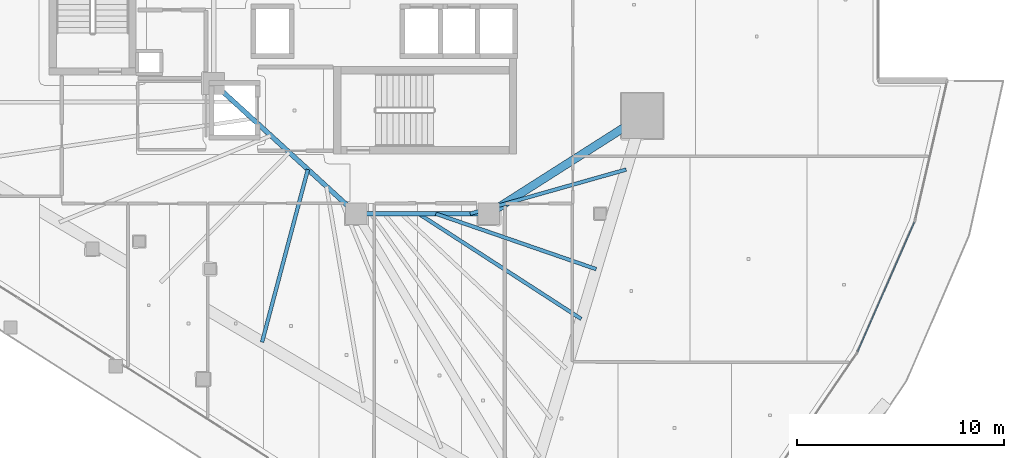
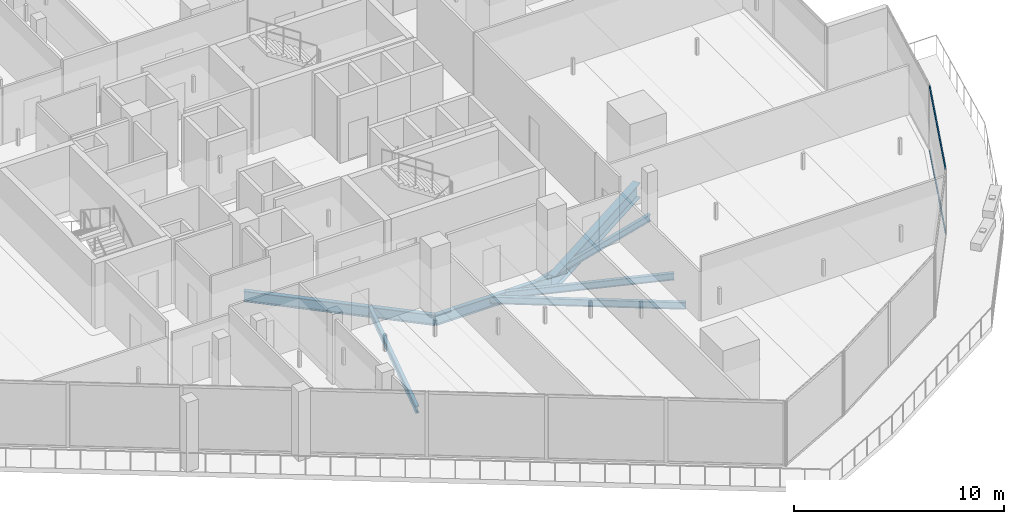
# One storey, part 12 of 45: 7 beams, 2 members, 1 element without a shape of its own.
"""IFC4 building model written with IfcOpenShell, lengths in metres."""

from ifc_helpers import new_model, si_unit, direction, frame, origin, origin_2d, place, context, subcontext, project, spatial, hollow_rectangle, i_section, extrude, material, layer, layer_set, material_profile, profile_set, type_object, element, aggregate, save


model = new_model("IFC4")

# Units and contexts
model_context = context("Model", 3, precision=1e-05, world=origin(), true_north=direction((0.0, 1.0)))
body_context = subcontext(model_context, "Body", "Model", "MODEL_VIEW")
ifc_project = project(units=[si_unit("LENGTHUNIT", "METRE"), si_unit("AREAUNIT", "SQUARE_METRE"), si_unit("VOLUMEUNIT", "CUBIC_METRE"), si_unit("PLANEANGLEUNIT", "RADIAN"), si_unit("MASSUNIT", "GRAM", prefix="KILO")], contexts=[model_context])

# Site, building, storey
site_placement = place(None, origin())
site = spatial("IfcSite", under=ifc_project, at=site_placement, CompositionType="ELEMENT")
building_placement = place(site_placement, origin())
building = spatial("IfcBuilding", under=site, at=building_placement, Name="Qorvath Tower", CompositionType="ELEMENT")
storey_placement = place(building_placement, frame((0.0, 0.0, 109.800048828125)))
storey = spatial("IfcBuildingStorey", under=building, at=storey_placement, Name="L24", CompositionType="ELEMENT", Elevation=109.800048828125)

# Beams
ifc_material_1 = material(Name="Steel ASTM A992 Grade 50", Category="steel")
ifc_material_profile_1 = material_profile(ifc_material_1, i_section(OverallWidth=0.39892578125, OverallDepth=0.85498046875, WebThickness=0.018310546875, FlangeThickness=0.029296875, FilletRadius=0.02001953125, at=origin_2d()), Name="W33x201")
ifc_profile_set_1 = profile_set([ifc_material_profile_1], Name="Steel ASTM A992 Grade 50")
beam_type_1 = type_object("IfcBeamType", Name="BM-FG2", PredefinedType="BEAM", material=ifc_profile_set_1)
beam_1_placement = place(storey_placement, frame((-17.199951171875, -11.449951171875, -0.70751953125), z_axis=(0.843634090834, 0.536918542037, 0.0), x_axis=(-0.536918542037, 0.843634090834, 0.0)))
element("IfcBeam", 1, at=beam_1_placement, inside=storey, type_object=beam_type_1, Name="Radial Floor Girder CC3-MC4 L24", PredefinedType="BEAM", context=body_context, shape_type="SweptSolid", body=[
    extrude(i_section(OverallWidth=0.39892578125, OverallDepth=0.85498046875, WebThickness=0.018310546875, FlangeThickness=0.029296875, FilletRadius=0.02001953125, at=origin_2d()), origin(), (0.0, 0.0, 1.0), 8.806884765625),
])
ifc_material_2 = material(Name="Steel ASTM A992 Grade 50", Category="steel")
ifc_material_profile_2 = material_profile(ifc_material_2, i_section(OverallWidth=0.22998046875, OverallDepth=0.616943359375, WebThickness=0.01318359375, FlangeThickness=0.022216796875, FilletRadius=0.014892578125, at=origin_2d()), Name="W24x94")
ifc_profile_set_2 = profile_set([ifc_material_profile_2], Name="Steel ASTM A992 Grade 50")
beam_type_2 = type_object("IfcBeamType", Name="BM-FG6", PredefinedType="BEAM", material=ifc_profile_set_2)
beam_2_placement = place(storey_placement, frame((-17.199951171875, -11.449951171875, -0.588623046875), z_axis=(-1.0, 0.0, 0.0), x_axis=(0.0, -1.0, 0.0)))
element("IfcBeam", 2, at=beam_2_placement, inside=storey, type_object=beam_type_2, Name="Core Ring Girder CC3-CC4 L24", PredefinedType="BEAM", context=body_context, shape_type="SweptSolid", body=[
    extrude(i_section(OverallWidth=0.22998046875, OverallDepth=0.616943359375, WebThickness=0.01318359375, FlangeThickness=0.022216796875, FilletRadius=0.014892578125, at=origin_2d()), origin(), (0.0, 0.0, 1.0), 6.400146484375),
])
beam_3_placement = place(storey_placement, frame((-23.60009765625, -11.449951171875, -0.588623046875), z_axis=(-0.73847813985, 0.6742774184, 0.0), x_axis=(-0.6742774184, -0.73847813985, 0.0)))
element("IfcBeam", 3, at=beam_3_placement, inside=storey, type_object=beam_type_2, Name="Core Ring Girder CC4-CC6 L24", PredefinedType="BEAM", context=body_context, shape_type="SweptSolid", body=[
    extrude(i_section(OverallWidth=0.22998046875, OverallDepth=0.616943359375, WebThickness=0.01318359375, FlangeThickness=0.022216796875, FilletRadius=0.014892578125, at=origin_2d()), origin(), (0.0, 0.0, 1.0), 9.343505859375),
])
ifc_material_3 = material(Name="Steel ASTM A992 Grade 50", Category="steel")
ifc_material_profile_3 = material_profile(ifc_material_3, i_section(OverallWidth=0.177978515625, OverallDepth=0.406005859375, WebThickness=0.0078125, FlangeThickness=0.0126953125, FilletRadius=0.010986328125, at=origin_2d()), Name="W16x40")
ifc_profile_set_3 = profile_set([ifc_material_profile_3], Name="Steel ASTM A992 Grade 50")
beam_type_3 = type_object("IfcBeamType", Name="BM-FJ3", PredefinedType="JOIST", material=ifc_profile_set_3)
beam_4_placement = place(storey_placement, frame((-18.095947265625, -11.449951171875, -0.483154296875), z_axis=(0.962222206221, 0.272265359264, 0.0), x_axis=(-0.272265359264, 0.962222206221, 0.0)))
element("IfcBeam", 4, at=beam_4_placement, inside=storey, type_object=beam_type_3, Name="Composite Floor Joist SE1 L24", PredefinedType="JOIST", context=body_context, shape_type="SweptSolid", body=[
    extrude(i_section(OverallWidth=0.177978515625, OverallDepth=0.406005859375, WebThickness=0.0078125, FlangeThickness=0.0126953125, FilletRadius=0.010986328125, at=origin_2d()), origin(), (0.0, 0.0, 1.0), 7.841552734375),
])
beam_5_placement = place(storey_placement, frame((-19.760009765625, -11.449951171875, -0.483154296875), z_axis=(0.945168345309, -0.326583525342, 0.0), x_axis=(0.326583525342, 0.945168345309, 0.0)))
element("IfcBeam", 5, at=beam_5_placement, inside=storey, type_object=beam_type_3, Name="Composite Floor Joist SE3 L24", PredefinedType="JOIST", context=body_context, shape_type="SweptSolid", body=[
    extrude(i_section(OverallWidth=0.177978515625, OverallDepth=0.406005859375, WebThickness=0.0078125, FlangeThickness=0.0126953125, FilletRadius=0.010986328125, at=origin_2d()), origin(), (0.0, 0.0, 1.0), 8.21044921875),
])
beam_6_placement = place(storey_placement, frame((-20.592041015625, -11.449951171875, -0.483154296875), z_axis=(0.839630966809, -0.543157288062, 0.0), x_axis=(0.543157288062, 0.839630966809, 0.0)))
element("IfcBeam", 6, at=beam_6_placement, inside=storey, type_object=beam_type_3, Name="Composite Floor Joist SE4 L24", PredefinedType="JOIST", context=body_context, shape_type="SweptSolid", body=[
    extrude(i_section(OverallWidth=0.177978515625, OverallDepth=0.406005859375, WebThickness=0.0078125, FlangeThickness=0.0126953125, FilletRadius=0.010986328125, at=origin_2d()), origin(), (0.0, 0.0, 1.0), 9.370361328125),
])
beam_7_placement = place(storey_placement, frame((-25.946044921875, -9.30810546875, -0.483154296875), z_axis=(-0.256507909517, -0.966542131702, 0.0), x_axis=(0.966542131702, -0.256507909517, 0.0)))
element("IfcBeam", 7, at=beam_7_placement, inside=storey, type_object=beam_type_3, Name="Composite Floor Joist SW5 L24", PredefinedType="JOIST", context=body_context, shape_type="SweptSolid", body=[
    extrude(i_section(OverallWidth=0.177978515625, OverallDepth=0.406005859375, WebThickness=0.0078125, FlangeThickness=0.0126953125, FilletRadius=0.010986328125, at=origin_2d()), origin(), (0.0, 0.0, 1.0), 8.64697265625),
])

# Curtain wall, members
ifc_material_4 = material(Name="Anodised aluminium and triple low-E glass", Category="aluminium")
ifc_layer = layer(ifc_material_4, 0.179931640625)
ifc_layer_set = layer_set([ifc_layer], Name="CW-SYS-2")
curtain_wall_type = type_object("IfcCurtainWallType", Name="CW-SYS-2", PredefinedType="NOTDEFINED", material=ifc_layer_set)
curtain_wall_placement = place(storey_placement, origin())
curtain_wall = element("IfcCurtainWall", 8, at=curtain_wall_placement, inside=storey, type_object=curtain_wall_type, Name="Curtain Wall CW-2 CW-T-L24-6.1", PredefinedType="NOTDEFINED")
ifc_material_5 = material(Name="Anodised aluminium 6063-T6", Category="aluminium")
ifc_material_profile_4 = material_profile(ifc_material_5, hollow_rectangle(XDim=0.06494140625, YDim=0.159912109375, WallThickness=0.00341796875, InnerFilletRadius=0.00341796875, OuterFilletRadius=0.007080078125, at=origin_2d()), Name="CWT 160x65")
ifc_profile_set_4 = profile_set([ifc_material_profile_4], Name="Anodised aluminium 6063-T6")
member_type = type_object("IfcMemberType", Name="CWT-160", PredefinedType="USERDEFINED", material=ifc_profile_set_4)
member_1_placement = place(storey_placement, frame((0.6484375, -18.121337890625, 0.032470703125), z_axis=(0.401584791329, 0.915821846962, 0.0), x_axis=(-0.915821846962, 0.401584791329, 0.0)))
member_1 = element("IfcMember", 9, at=member_1_placement, type_object=member_type, Name="CW-2 transom 1.1", ObjectType="TRANSOM", PredefinedType="USERDEFINED", context=body_context, shape_type="SweptSolid", body=[
    extrude(hollow_rectangle(XDim=0.06494140625, YDim=0.159912109375, WallThickness=0.00341796875, InnerFilletRadius=0.00341796875, OuterFilletRadius=0.007080078125, at=origin_2d()), origin(), (0.0, 0.0, 1.0), 6.837646484375),
])
member_2_placement = place(storey_placement, frame((0.6484375, -18.121337890625, 3.737548828125), z_axis=(0.401584791329, 0.915821846962, 0.0), x_axis=(-0.915821846962, 0.401584791329, 0.0)))
member_2 = element("IfcMember", 10, at=member_2_placement, type_object=member_type, Name="CW-2 transom 1.2", ObjectType="TRANSOM", PredefinedType="USERDEFINED", context=body_context, shape_type="SweptSolid", body=[
    extrude(hollow_rectangle(XDim=0.06494140625, YDim=0.159912109375, WallThickness=0.00341796875, InnerFilletRadius=0.00341796875, OuterFilletRadius=0.007080078125, at=origin_2d()), origin(), (0.0, 0.0, 1.0), 6.837646484375),
])
aggregate(curtain_wall, [member_1, member_2])

save(model, "model.ifc")
